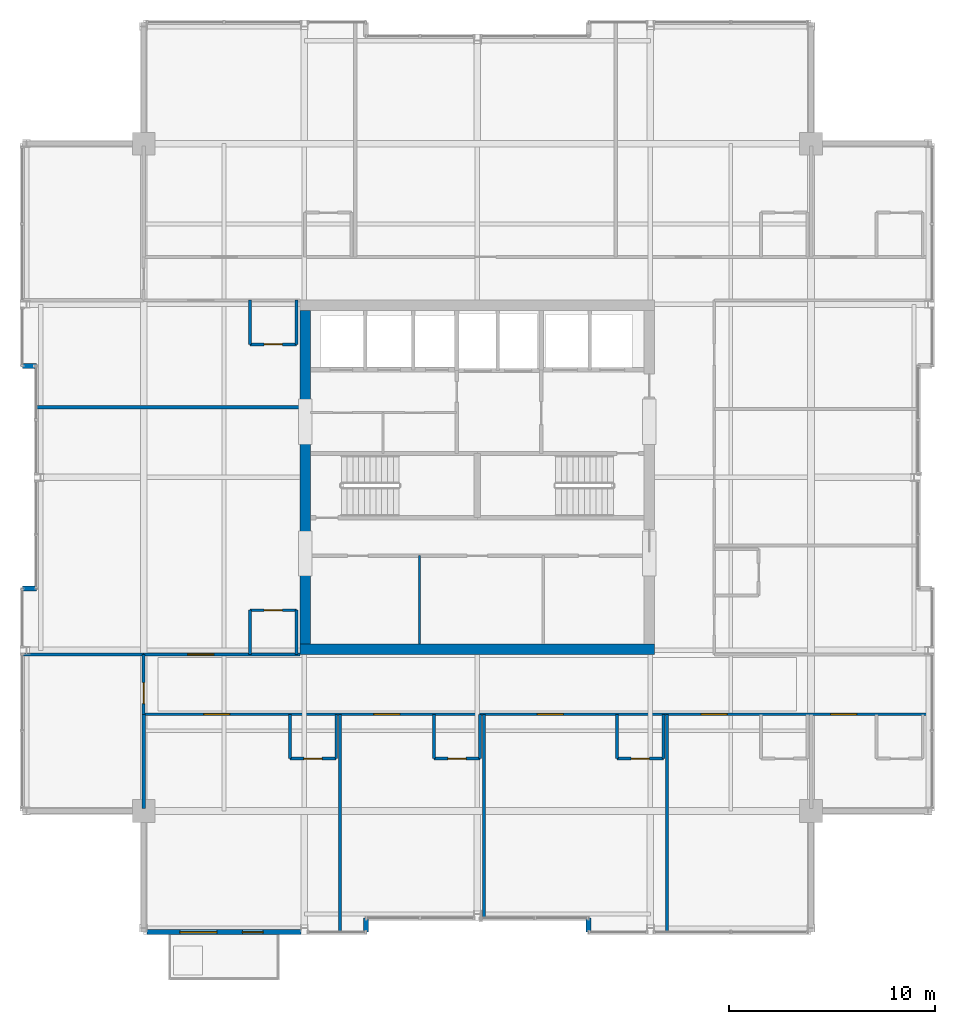
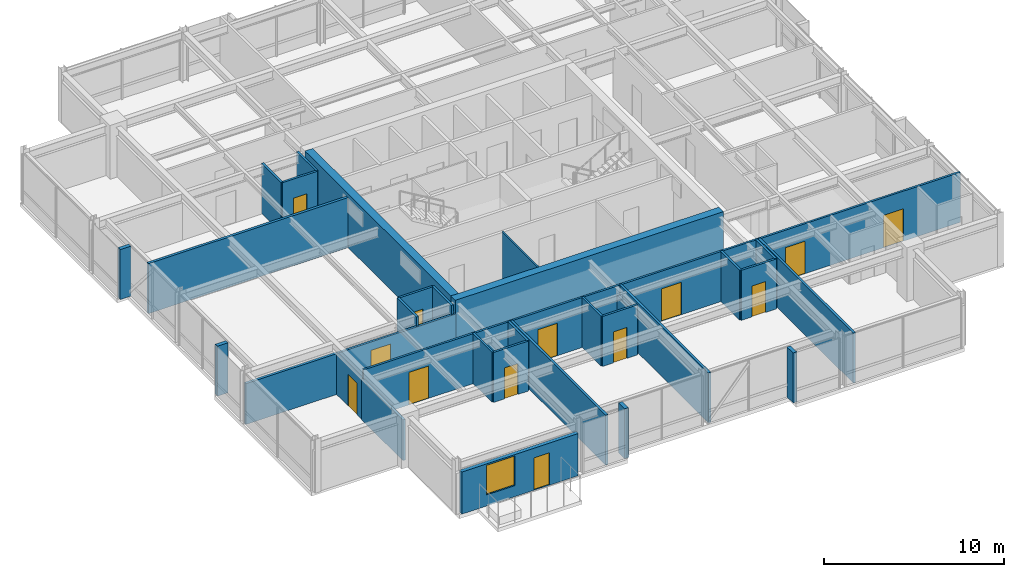
# One storey, part 28 of 34: 32 walls, 13 doors, 1 window, 14 openings.
"""IFC4 building model written with IfcOpenShell, lengths in metres."""

from ifc_helpers import new_model, si_unit, direction, frame, frame_2d, origin, place, context, subcontext, project, spatial, rectangle, extrude, material, layer, layer_set, type_object, element, fill, save


model = new_model("IFC4")

# Units and contexts
model_context = context("Model", 3, precision=1e-05, world=origin(), true_north=direction((0.0, 1.0)))
body_context = subcontext(model_context, "Body", "Model", "MODEL_VIEW")
ifc_project = project(units=[si_unit("LENGTHUNIT", "METRE"), si_unit("AREAUNIT", "SQUARE_METRE"), si_unit("VOLUMEUNIT", "CUBIC_METRE"), si_unit("PLANEANGLEUNIT", "RADIAN"), si_unit("MASSUNIT", "GRAM", prefix="KILO")], contexts=[model_context])

# Site, building, storey
site_placement = place(None, origin())
site = spatial("IfcSite", under=ifc_project, at=site_placement, CompositionType="ELEMENT")
building_placement = place(site_placement, origin())
building = spatial("IfcBuilding", under=site, at=building_placement, Name="Drelvath Grand Hotel", CompositionType="ELEMENT")
storey_placement = place(building_placement, frame((0.0, 0.0, 286.89990234375)))
storey = spatial("IfcBuildingStorey", under=building, at=storey_placement, Name="L75", CompositionType="ELEMENT", Elevation=286.89990234375)

# Wall
ifc_material_1 = material(Name="Gypsum Partition Board")
ifc_layer_1 = layer(ifc_material_1, 0.10009765625)
ifc_layer_set_1 = layer_set([ifc_layer_1], Name="Gypsum Partition Board")
wall_type_1 = type_object("IfcWallType", Name="Core Closet Partition 100", PredefinedType="PARTITIONING", material=ifc_layer_set_1)
wall_1_placement = place(storey_placement, frame((-2.800048828125, 18.89990234375, 0.0), z_axis=(0.0, 0.0, 1.0), x_axis=(0.0, 1.0, 0.0)))
element("IfcWall", 1, at=wall_1_placement, inside=storey, type_object=wall_type_1, Name="L75 Upper Core Split 1A", PredefinedType="PARTITIONING", context=body_context, shape_type="SweptSolid", body=[
    extrude(rectangle(XDim=4.300048828125, YDim=0.10009765625, at=frame_2d((2.14990234375, 0.0))), origin(), (0.0, 0.0, 1.0), 3.39013671875),
])

# Wall, openings, doors
ifc_material_2 = material(Name="Gypsum Fireboard Partition")
ifc_layer_2 = layer(ifc_material_2, 0.135009765625)
ifc_layer_set_2 = layer_set([ifc_layer_2], Name="Gypsum Fireboard Partition")
wall_type_2 = type_object("IfcWallType", Name="Corridor Fire Barrier Wall 135", PredefinedType="PARTITIONING", material=ifc_layer_set_2)
wall_2_placement = place(storey_placement, frame((-16.199951171875, 15.5, 0.0), z_axis=(0.0, 0.0, 1.0), x_axis=(1.0, 0.0, 0.0)))
wall_2 = element("IfcWall", 2, at=wall_2_placement, inside=storey, type_object=wall_type_2, Name="L75 South Cross-Gallery Wall", PredefinedType="PARTITIONING", context=body_context, shape_type="SweptSolid", body=[
    extrude(rectangle(XDim=38.280029296875, YDim=0.135009765625, at=frame_2d((19.14013671875, 0.0))), origin(), (0.0, 0.0, 1.0), 3.39013671875),
])
opening_1_placement = place(wall_2_placement, frame((33.35498046875, 0.0, 0.0)))
opening_1 = element("IfcOpeningElement", 3, at=opening_1_placement, cuts=wall_2, Name="Opening D-T5G3-022", PredefinedType="OPENING", context=body_context, shape_type="SweptSolid", body=[
    extrude(rectangle(XDim=1.260009765625, YDim=2.199951171875, at=frame_2d((0.6298828125, 1.10009765625))), frame((0.0, 0.077392578125, 0.0), z_axis=(0.0, -1.0, 0.0), x_axis=(1.0, 0.0, 0.0)), (0.0, 0.0, 1.0), 0.155029296875),
])
opening_2_placement = place(wall_2_placement, frame((2.919677734375, 0.0, 0.0)))
opening_2 = element("IfcOpeningElement", 4, at=opening_2_placement, cuts=wall_2, Name="Opening D-T5G3-026", PredefinedType="OPENING", context=body_context, shape_type="SweptSolid", body=[
    extrude(rectangle(XDim=1.260009765625, YDim=2.199951171875, at=frame_2d((0.6298828125, 1.10009765625))), frame((0.0, 0.077392578125, 0.0), z_axis=(0.0, -1.0, 0.0), x_axis=(1.0, 0.0, 0.0)), (0.0, 0.0, 1.0), 0.155029296875),
])
opening_3_placement = place(wall_2_placement, frame((11.178466796875, 0.0, 0.0)))
opening_3 = element("IfcOpeningElement", 5, at=opening_3_placement, cuts=wall_2, Name="Opening D-T5G3-028", PredefinedType="OPENING", context=body_context, shape_type="SweptSolid", body=[
    extrude(rectangle(XDim=1.260009765625, YDim=2.199951171875, at=frame_2d((0.6298828125, 1.10009765625))), frame((0.0, 0.077392578125, 0.0), z_axis=(0.0, -1.0, 0.0), x_axis=(1.0, 0.0, 0.0)), (0.0, 0.0, 1.0), 0.155029296875),
])
opening_4_placement = place(wall_2_placement, frame((19.11962890625, 0.0, 0.0)))
opening_4 = element("IfcOpeningElement", 6, at=opening_4_placement, cuts=wall_2, Name="Opening D-T5G3-030", PredefinedType="OPENING", context=body_context, shape_type="SweptSolid", body=[
    extrude(rectangle(XDim=1.260009765625, YDim=2.199951171875, at=frame_2d((0.6298828125, 1.10009765625))), frame((0.0, 0.077392578125, 0.0), z_axis=(0.0, -1.0, 0.0), x_axis=(1.0, 0.0, 0.0)), (0.0, 0.0, 1.0), 0.155029296875),
])
opening_5_placement = place(wall_2_placement, frame((27.060791015625, 0.0, 0.0)))
opening_5 = element("IfcOpeningElement", 7, at=opening_5_placement, cuts=wall_2, Name="Opening D-T5G3-032", PredefinedType="OPENING", context=body_context, shape_type="SweptSolid", body=[
    extrude(rectangle(XDim=1.260009765625, YDim=2.199951171875, at=frame_2d((0.6298828125, 1.10009765625))), frame((0.0, 0.077392578125, 0.0), z_axis=(0.0, -1.0, 0.0), x_axis=(1.0, 0.0, 0.0)), (0.0, 0.0, 1.0), 0.155029296875),
])
ifc_material_3 = material(Name="Hardwood Walnut Timber", Category="wood")
door_type_1 = type_object("IfcDoorType", Name="Suite Entrance Fire Door 1260x2200", OperationType="NOTDEFINED", PredefinedType="DOOR", material=ifc_material_3)
door_1_placement = place(opening_1_placement, origin())
door_1 = element("IfcDoor", 8, at=door_1_placement, inside=storey, type_object=door_type_1, Name="L75 Royal Suite Entry Door", OperationType="SINGLE_SWING_LEFT", OverallHeight=2.199951171875, OverallWidth=1.260009765625, PredefinedType="DOOR", context=body_context, shape_type="SweptSolid", body=[
    extrude(rectangle(XDim=1.260009765625, YDim=2.199951171875, at=frame_2d((0.6298828125, 1.10009765625))), frame((0.0, 0.02490234375, 0.0), z_axis=(0.0, -1.0, 0.0), x_axis=(1.0, 0.0, 0.0)), (0.0, 0.0, 1.0), 0.050048828125),
])
fill(opening_1, door_1)
door_2_placement = place(opening_2_placement, origin())
door_2 = element("IfcDoor", 9, at=door_2_placement, inside=storey, type_object=door_type_1, Name="L75 Royal Suite Entry Door", OperationType="SINGLE_SWING_LEFT", OverallHeight=2.199951171875, OverallWidth=1.260009765625, PredefinedType="DOOR", context=body_context, shape_type="SweptSolid", body=[
    extrude(rectangle(XDim=1.260009765625, YDim=2.199951171875, at=frame_2d((0.6298828125, 1.10009765625))), frame((0.0, 0.02490234375, 0.0), z_axis=(0.0, -1.0, 0.0), x_axis=(1.0, 0.0, 0.0)), (0.0, 0.0, 1.0), 0.050048828125),
])
fill(opening_2, door_2)
door_3_placement = place(opening_3_placement, origin())
door_3 = element("IfcDoor", 10, at=door_3_placement, inside=storey, type_object=door_type_1, Name="L75 Royal Suite Entry Door", OperationType="SINGLE_SWING_LEFT", OverallHeight=2.199951171875, OverallWidth=1.260009765625, PredefinedType="DOOR", context=body_context, shape_type="SweptSolid", body=[
    extrude(rectangle(XDim=1.260009765625, YDim=2.199951171875, at=frame_2d((0.6298828125, 1.10009765625))), frame((0.0, 0.02490234375, 0.0), z_axis=(0.0, -1.0, 0.0), x_axis=(1.0, 0.0, 0.0)), (0.0, 0.0, 1.0), 0.050048828125),
])
fill(opening_3, door_3)
door_4_placement = place(opening_4_placement, origin())
door_4 = element("IfcDoor", 11, at=door_4_placement, inside=storey, type_object=door_type_1, Name="L75 Royal Suite Entry Door", OperationType="SINGLE_SWING_LEFT", OverallHeight=2.199951171875, OverallWidth=1.260009765625, PredefinedType="DOOR", context=body_context, shape_type="SweptSolid", body=[
    extrude(rectangle(XDim=1.260009765625, YDim=2.199951171875, at=frame_2d((0.6298828125, 1.10009765625))), frame((0.0, 0.02490234375, 0.0), z_axis=(0.0, -1.0, 0.0), x_axis=(1.0, 0.0, 0.0)), (0.0, 0.0, 1.0), 0.050048828125),
])
fill(opening_4, door_4)
door_5_placement = place(opening_5_placement, origin())
door_5 = element("IfcDoor", 12, at=door_5_placement, inside=storey, type_object=door_type_1, Name="L75 Royal Suite Entry Door", OperationType="SINGLE_SWING_LEFT", OverallHeight=2.199951171875, OverallWidth=1.260009765625, PredefinedType="DOOR", context=body_context, shape_type="SweptSolid", body=[
    extrude(rectangle(XDim=1.260009765625, YDim=2.199951171875, at=frame_2d((0.6298828125, 1.10009765625))), frame((0.0, 0.02490234375, 0.0), z_axis=(0.0, -1.0, 0.0), x_axis=(1.0, 0.0, 0.0)), (0.0, 0.0, 1.0), 0.050048828125),
])
fill(opening_5, door_5)

# Wall, opening, door
wall_3_placement = place(storey_placement, frame((-16.199951171875, 18.39990234375, 0.0), z_axis=(0.0, 0.0, 1.0), x_axis=(1.0, 0.0, 0.0)))
wall_3 = element("IfcWall", 13, at=wall_3_placement, inside=storey, type_object=wall_type_2, Name="L75 South Gallery Inner West Wall", PredefinedType="PARTITIONING", context=body_context, shape_type="SweptSolid", body=[
    extrude(rectangle(XDim=7.599853515625, YDim=0.135009765625, at=frame_2d((3.7998046875, 0.0))), origin(), (0.0, 0.0, 1.0), 2.767578125),
])
opening_6_placement = place(wall_3_placement, frame((2.155029296875, 0.0, 0.0)))
opening_6 = element("IfcOpeningElement", 14, at=opening_6_placement, cuts=wall_3, Name="Opening D-T5G3-043", PredefinedType="OPENING", context=body_context, shape_type="SweptSolid", body=[
    extrude(rectangle(XDim=1.260009765625, YDim=2.199951171875, at=frame_2d((0.6298828125, 1.10009765625))), frame((0.0, 0.077392578125, 0.0), z_axis=(0.0, -1.0, 0.0), x_axis=(1.0, 0.0, 0.0)), (0.0, 0.0, 1.0), 0.155029296875),
])
door_6_placement = place(opening_6_placement, origin())
door_6 = element("IfcDoor", 15, at=door_6_placement, inside=storey, type_object=door_type_1, Name="L75 Royal Suite Entry Door", OperationType="SINGLE_SWING_RIGHT", OverallHeight=2.199951171875, OverallWidth=1.260009765625, PredefinedType="DOOR", context=body_context, shape_type="SweptSolid", body=[
    extrude(rectangle(XDim=1.260009765625, YDim=2.199951171875, at=frame_2d((0.6298828125, 1.10009765625))), frame((0.0, 0.02490234375, 0.0), z_axis=(0.0, -1.0, 0.0), x_axis=(1.0, 0.0, 0.0)), (0.0, 0.0, 1.0), 0.050048828125),
])
fill(opening_6, door_6)

wall_4_placement = place(storey_placement, frame((-16.199951171875, 15.5, 0.0), z_axis=(0.0, 0.0, 1.0), x_axis=(0.0, 1.0, 0.0)))
wall_4 = element("IfcWall", 16, at=wall_4_placement, inside=storey, type_object=wall_type_2, Name="L75 South Gallery West End", PredefinedType="PARTITIONING", context=body_context, shape_type="SweptSolid", body=[
    extrude(rectangle(XDim=2.89990234375, YDim=0.135009765625, at=frame_2d((1.449951171875, 0.0))), origin(), (0.0, 0.0, 1.0), 2.76416015625),
])
opening_7_placement = place(wall_4_placement, frame((0.52001953125, 0.0, 0.0)))
opening_7 = element("IfcOpeningElement", 17, at=opening_7_placement, cuts=wall_4, Name="Opening D-T5G3-019", PredefinedType="OPENING", context=body_context, shape_type="SweptSolid", body=[
    extrude(rectangle(XDim=1.02001953125, YDim=2.14990234375, at=frame_2d((0.510009765625, 1.074951171875))), frame((0.0, 0.077392578125, 0.0), z_axis=(0.0, -1.0, 0.0), x_axis=(1.0, 0.0, 0.0)), (0.0, 0.0, 1.0), 0.155029296875),
])
door_type_2 = type_object("IfcDoorType", Name="Amenity Meeting Fire Door 1020x2150", OperationType="NOTDEFINED", PredefinedType="DOOR", material=ifc_material_3)
door_7_placement = place(opening_7_placement, origin())
door_7 = element("IfcDoor", 18, at=door_7_placement, inside=storey, type_object=door_type_2, Name="L75 Corner Panorama Lounge Door", OperationType="SINGLE_SWING_RIGHT", OverallHeight=2.14990234375, OverallWidth=1.02001953125, PredefinedType="DOOR", context=body_context, shape_type="SweptSolid", body=[
    extrude(rectangle(XDim=1.02001953125, YDim=2.14990234375, at=frame_2d((0.510009765625, 1.074951171875))), frame((0.0, 0.02490234375, 0.0), z_axis=(0.0, -1.0, 0.0), x_axis=(1.0, 0.0, 0.0)), (0.0, 0.0, 1.0), 0.050048828125),
])
fill(opening_7, door_7)

# Walls
ifc_material_4 = material(Name="Moisture-Resistant Gypsum Board")
ifc_layer_3 = layer(ifc_material_4, 0.139892578125)
ifc_layer_set_3 = layer_set([ifc_layer_3], Name="Moisture-Resistant Gypsum Board")
wall_type_3 = type_object("IfcWallType", Name="En-Suite Plumbing Wall 140", PredefinedType="PLUMBINGWALL", material=ifc_layer_set_3)
for number, where, z_axis, x_axis, name in (
    (19, (-9.1005859375, 15.5, 0.0), (0.0, 0.0, 1.0), (0.0, -1.0, 0.0), "L75 En-Suite Left Wall"),
    (20, (-6.8505859375, 15.5, 0.0), (0.0, 0.0, 1.0), (0.0, -1.0, 0.0), "L75 En-Suite Right Wall"),
):
    element("IfcWall", number, at=place(storey_placement, frame(where, z_axis=z_axis, x_axis=x_axis)), inside=storey, type_object=wall_type_3, Name=name, PredefinedType="PLUMBINGWALL", context=body_context, shape_type="SweptSolid", body=[
        extrude(rectangle(XDim=2.14990234375, YDim=0.139892578125, at=frame_2d((1.074951171875, 0.0))), origin(), (0.0, 0.0, 1.0), 3.39013671875),
    ])

# Wall, opening, door
wall_5_placement = place(storey_placement, frame((-9.1005859375, 13.35009765625, 0.0), z_axis=(0.0, 0.0, 1.0), x_axis=(1.0, 0.0, 0.0)))
wall_5 = element("IfcWall", 21, at=wall_5_placement, inside=storey, type_object=wall_type_3, Name="L75 En-Suite Front Wall", PredefinedType="PLUMBINGWALL", context=body_context, shape_type="SweptSolid", body=[
    extrude(rectangle(XDim=2.25, YDim=0.139892578125, at=frame_2d((1.125, 0.0))), origin(), (0.0, 0.0, 1.0), 3.39013671875),
])
opening_8_placement = place(wall_5_placement, frame((0.68505859375, 0.0, 0.0)))
opening_8 = element("IfcOpeningElement", 22, at=opening_8_placement, cuts=wall_5, Name="Opening D-T5G3-025", PredefinedType="OPENING", context=body_context, shape_type="SweptSolid", body=[
    extrude(rectangle(XDim=0.8798828125, YDim=2.10009765625, at=frame_2d((0.43994140625, 1.050048828125))), frame((0.0, 0.079833984375, 0.0), z_axis=(0.0, -1.0, 0.0), x_axis=(1.0, 0.0, 0.0)), (0.0, 0.0, 1.0), 0.159912109375),
])
door_type_3 = type_object("IfcDoorType", Name="En-Suite Bathroom Door 880x2100", OperationType="NOTDEFINED", PredefinedType="DOOR", material=ifc_material_3)
door_8_placement = place(opening_8_placement, origin())
door_8 = element("IfcDoor", 23, at=door_8_placement, inside=storey, type_object=door_type_3, Name="L75 En-Suite Bathroom Door", OperationType="SINGLE_SWING_RIGHT", OverallHeight=2.10009765625, OverallWidth=0.8798828125, PredefinedType="DOOR", context=body_context, shape_type="SweptSolid", body=[
    extrude(rectangle(XDim=0.8798828125, YDim=2.10009765625, at=frame_2d((0.43994140625, 1.050048828125))), frame((0.0, 0.02490234375, 0.0), z_axis=(0.0, -1.0, 0.0), x_axis=(1.0, 0.0, 0.0)), (0.0, 0.0, 1.0), 0.050048828125),
])
fill(opening_8, door_8)

# Walls
wall_6_placement = place(storey_placement, frame((-2.1123046875, 15.5, 0.0), z_axis=(0.0, 0.0, 1.0), x_axis=(0.0, -1.0, 0.0)))
element("IfcWall", 24, at=wall_6_placement, inside=storey, type_object=wall_type_3, Name="L75 En-Suite Left Wall", PredefinedType="PLUMBINGWALL", context=body_context, shape_type="SweptSolid", body=[
    extrude(rectangle(XDim=2.14990234375, YDim=0.139892578125, at=frame_2d((1.074951171875, 0.0))), origin(), (0.0, 0.0, 1.0), 3.39013671875),
])
wall_7_placement = place(storey_placement, frame((0.1376953125, 15.5, 0.0), z_axis=(0.0, 0.0, 1.0), x_axis=(0.0, -1.0, 0.0)))
element("IfcWall", 25, at=wall_7_placement, inside=storey, type_object=wall_type_3, Name="L75 En-Suite Right Wall", PredefinedType="PLUMBINGWALL", context=body_context, shape_type="SweptSolid", body=[
    extrude(rectangle(XDim=2.14990234375, YDim=0.139892578125, at=frame_2d((1.074951171875, 0.0))), origin(), (0.0, 0.0, 1.0), 2.767578125),
])

# Wall, opening, door
wall_8_placement = place(storey_placement, frame((-2.1123046875, 13.35009765625, 0.0), z_axis=(0.0, 0.0, 1.0), x_axis=(1.0, 0.0, 0.0)))
wall_8 = element("IfcWall", 26, at=wall_8_placement, inside=storey, type_object=wall_type_3, Name="L75 En-Suite Front Wall", PredefinedType="PLUMBINGWALL", context=body_context, shape_type="SweptSolid", body=[
    extrude(rectangle(XDim=2.25, YDim=0.139892578125, at=frame_2d((1.125, 0.0))), origin(), (0.0, 0.0, 1.0), 3.39013671875),
])
opening_9_placement = place(wall_8_placement, frame((0.68505859375, 0.0, 0.0)))
opening_9 = element("IfcOpeningElement", 27, at=opening_9_placement, cuts=wall_8, Name="Opening D-T5G3-027", PredefinedType="OPENING", context=body_context, shape_type="SweptSolid", body=[
    extrude(rectangle(XDim=0.8798828125, YDim=2.10009765625, at=frame_2d((0.43994140625, 1.050048828125))), frame((0.0, 0.079833984375, 0.0), z_axis=(0.0, -1.0, 0.0), x_axis=(1.0, 0.0, 0.0)), (0.0, 0.0, 1.0), 0.159912109375),
])
door_9_placement = place(opening_9_placement, origin())
door_9 = element("IfcDoor", 28, at=door_9_placement, inside=storey, type_object=door_type_3, Name="L75 En-Suite Bathroom Door", OperationType="SINGLE_SWING_RIGHT", OverallHeight=2.10009765625, OverallWidth=0.8798828125, PredefinedType="DOOR", context=body_context, shape_type="SweptSolid", body=[
    extrude(rectangle(XDim=0.8798828125, YDim=2.10009765625, at=frame_2d((0.43994140625, 1.050048828125))), frame((0.0, 0.02490234375, 0.0), z_axis=(0.0, -1.0, 0.0), x_axis=(1.0, 0.0, 0.0)), (0.0, 0.0, 1.0), 0.050048828125),
])
fill(opening_9, door_9)

# Walls
for number, where, z_axis, x_axis, name in (
    (29, (6.78173828125, 15.5, 0.0), (0.0, 0.0, 1.0), (0.0, -1.0, 0.0), "L75 En-Suite Left Wall"),
    (30, (9.03173828125, 15.5, 0.0), (0.0, 0.0, 1.0), (0.0, -1.0, 0.0), "L75 En-Suite Right Wall"),
):
    element("IfcWall", number, at=place(storey_placement, frame(where, z_axis=z_axis, x_axis=x_axis)), inside=storey, type_object=wall_type_3, Name=name, PredefinedType="PLUMBINGWALL", context=body_context, shape_type="SweptSolid", body=[
        extrude(rectangle(XDim=2.14990234375, YDim=0.139892578125, at=frame_2d((1.074951171875, 0.0))), origin(), (0.0, 0.0, 1.0), 3.39013671875),
    ])

# Wall, opening, door
wall_9_placement = place(storey_placement, frame((6.78173828125, 13.35009765625, 0.0), z_axis=(0.0, 0.0, 1.0), x_axis=(1.0, 0.0, 0.0)))
wall_9 = element("IfcWall", 31, at=wall_9_placement, inside=storey, type_object=wall_type_3, Name="L75 En-Suite Front Wall", PredefinedType="PLUMBINGWALL", context=body_context, shape_type="SweptSolid", body=[
    extrude(rectangle(XDim=2.25, YDim=0.139892578125, at=frame_2d((1.125, 0.0))), origin(), (0.0, 0.0, 1.0), 3.39013671875),
])
opening_10_placement = place(wall_9_placement, frame((0.68505859375, 0.0, 0.0)))
opening_10 = element("IfcOpeningElement", 32, at=opening_10_placement, cuts=wall_9, Name="Opening D-T5G3-029", PredefinedType="OPENING", context=body_context, shape_type="SweptSolid", body=[
    extrude(rectangle(XDim=0.8798828125, YDim=2.10009765625, at=frame_2d((0.43994140625, 1.050048828125))), frame((0.0, 0.079833984375, 0.0), z_axis=(0.0, -1.0, 0.0), x_axis=(1.0, 0.0, 0.0)), (0.0, 0.0, 1.0), 0.159912109375),
])
door_10_placement = place(opening_10_placement, origin())
door_10 = element("IfcDoor", 33, at=door_10_placement, inside=storey, type_object=door_type_3, Name="L75 En-Suite Bathroom Door", OperationType="SINGLE_SWING_RIGHT", OverallHeight=2.10009765625, OverallWidth=0.8798828125, PredefinedType="DOOR", context=body_context, shape_type="SweptSolid", body=[
    extrude(rectangle(XDim=0.8798828125, YDim=2.10009765625, at=frame_2d((0.43994140625, 1.050048828125))), frame((0.0, 0.02490234375, 0.0), z_axis=(0.0, -1.0, 0.0), x_axis=(1.0, 0.0, 0.0)), (0.0, 0.0, 1.0), 0.050048828125),
])
fill(opening_10, door_10)

# Walls
for number, where, z_axis, x_axis, name in (
    (34, (-11.030029296875, 18.39990234375, 0.0), (0.0, 0.0, 1.0), (0.0, 1.0, 0.0), "L75 En-Suite Left Wall"),
    (35, (-8.780029296875, 18.39990234375, 0.0), (0.0, 0.0, 1.0), (0.0, 1.0, 0.0), "L75 En-Suite Right Wall"),
):
    element("IfcWall", number, at=place(storey_placement, frame(where, z_axis=z_axis, x_axis=x_axis)), inside=storey, type_object=wall_type_3, Name=name, PredefinedType="PLUMBINGWALL", context=body_context, shape_type="SweptSolid", body=[
        extrude(rectangle(XDim=2.150146484375, YDim=0.139892578125, at=frame_2d((1.0751953125, 0.0))), origin(), (0.0, 0.0, 1.0), 3.39013671875),
    ])

# Wall, opening, door
wall_10_placement = place(storey_placement, frame((-11.030029296875, 20.550048828125, 0.0), z_axis=(0.0, 0.0, 1.0), x_axis=(1.0, 0.0, 0.0)))
wall_10 = element("IfcWall", 36, at=wall_10_placement, inside=storey, type_object=wall_type_3, Name="L75 En-Suite Front Wall", PredefinedType="PLUMBINGWALL", context=body_context, shape_type="SweptSolid", body=[
    extrude(rectangle(XDim=2.25, YDim=0.139892578125, at=frame_2d((1.125, 0.0))), origin(), (0.0, 0.0, 1.0), 3.39013671875),
])
opening_11_placement = place(wall_10_placement, frame((0.68505859375, 0.0, 0.0)))
opening_11 = element("IfcOpeningElement", 37, at=opening_11_placement, cuts=wall_10, Name="Opening D-T5G3-042", PredefinedType="OPENING", context=body_context, shape_type="SweptSolid", body=[
    extrude(rectangle(XDim=0.8798828125, YDim=2.10009765625, at=frame_2d((0.43994140625, 1.050048828125))), frame((0.0, 0.079833984375, 0.0), z_axis=(0.0, -1.0, 0.0), x_axis=(1.0, 0.0, 0.0)), (0.0, 0.0, 1.0), 0.159912109375),
])
door_11_placement = place(opening_11_placement, origin())
door_11 = element("IfcDoor", 38, at=door_11_placement, inside=storey, type_object=door_type_3, Name="L75 En-Suite Bathroom Door", OperationType="SINGLE_SWING_LEFT", OverallHeight=2.10009765625, OverallWidth=0.8798828125, PredefinedType="DOOR", context=body_context, shape_type="SweptSolid", body=[
    extrude(rectangle(XDim=0.8798828125, YDim=2.10009765625, at=frame_2d((0.43994140625, 1.050048828125))), frame((0.0, 0.02490234375, 0.0), z_axis=(0.0, -1.0, 0.0), x_axis=(1.0, 0.0, 0.0)), (0.0, 0.0, 1.0), 0.050048828125),
])
fill(opening_11, door_11)

# Walls
for number, where, z_axis, x_axis, name in (
    (39, (-11.030029296875, 35.60009765625, 0.0), (0.0, 0.0, 1.0), (0.0, -1.0, 0.0), "L75 En-Suite Left Wall"),
    (40, (-8.780029296875, 35.60009765625, 0.0), (0.0, 0.0, 1.0), (0.0, -1.0, 0.0), "L75 En-Suite Right Wall"),
):
    element("IfcWall", number, at=place(storey_placement, frame(where, z_axis=z_axis, x_axis=x_axis)), inside=storey, type_object=wall_type_3, Name=name, PredefinedType="PLUMBINGWALL", context=body_context, shape_type="SweptSolid", body=[
        extrude(rectangle(XDim=2.150146484375, YDim=0.139892578125, at=frame_2d((1.0751953125, 0.0))), origin(), (0.0, 0.0, 1.0), 3.39013671875),
    ])

# Wall, opening, door
wall_11_placement = place(storey_placement, frame((-11.030029296875, 33.449951171875, 0.0), z_axis=(0.0, 0.0, 1.0), x_axis=(1.0, 0.0, 0.0)))
wall_11 = element("IfcWall", 41, at=wall_11_placement, inside=storey, type_object=wall_type_3, Name="L75 En-Suite Front Wall", PredefinedType="PLUMBINGWALL", context=body_context, shape_type="SweptSolid", body=[
    extrude(rectangle(XDim=2.25, YDim=0.139892578125, at=frame_2d((1.125, 0.0))), origin(), (0.0, 0.0, 1.0), 3.39013671875),
])
opening_12_placement = place(wall_11_placement, frame((0.68505859375, 0.0, 0.0)))
opening_12 = element("IfcOpeningElement", 42, at=opening_12_placement, cuts=wall_11, Name="Opening D-T5G3-044", PredefinedType="OPENING", context=body_context, shape_type="SweptSolid", body=[
    extrude(rectangle(XDim=0.8798828125, YDim=2.10009765625, at=frame_2d((0.43994140625, 1.050048828125))), frame((0.0, 0.079833984375, 0.0), z_axis=(0.0, -1.0, 0.0), x_axis=(1.0, 0.0, 0.0)), (0.0, 0.0, 1.0), 0.159912109375),
])
door_12_placement = place(opening_12_placement, origin())
door_12 = element("IfcDoor", 43, at=door_12_placement, inside=storey, type_object=door_type_3, Name="L75 En-Suite Bathroom Door", OperationType="SINGLE_SWING_LEFT", OverallHeight=2.10009765625, OverallWidth=0.8798828125, PredefinedType="DOOR", context=body_context, shape_type="SweptSolid", body=[
    extrude(rectangle(XDim=0.8798828125, YDim=2.10009765625, at=frame_2d((0.43994140625, 1.050048828125))), frame((0.0, 0.02490234375, 0.0), z_axis=(0.0, -1.0, 0.0), x_axis=(1.0, 0.0, 0.0)), (0.0, 0.0, 1.0), 0.050048828125),
])
fill(opening_12, door_12)

# Walls
ifc_material_5 = material(Name="Gypsum Acoustic Partition")
ifc_layer_4 = layer(ifc_material_5, 0.14990234375)
ifc_layer_set_4 = layer_set([ifc_layer_4], Name="Gypsum Acoustic Partition")
wall_type_4 = type_object("IfcWallType", Name="Guestroom Demising Wall 150", PredefinedType="PARTITIONING", material=ifc_layer_set_4)
wall_12_placement = place(storey_placement, frame((-6.670654296875, 4.919921875, 0.0), z_axis=(0.0, 0.0, 1.0), x_axis=(0.0, 1.0, 0.0)))
element("IfcWall", 44, at=wall_12_placement, inside=storey, type_object=wall_type_4, Name="L75 South Demising 1", PredefinedType="PARTITIONING", context=body_context, shape_type="SweptSolid", body=[
    extrude(rectangle(XDim=10.580078125, YDim=0.14990234375, at=frame_2d((5.2900390625, 0.0))), origin(), (0.0, 0.0, 1.0), 3.39013671875),
])
wall_13_placement = place(storey_placement, frame((0.317626953125, 5.60009765625, 0.0), z_axis=(0.0, 0.0, 1.0), x_axis=(0.0, 1.0, 0.0)))
element("IfcWall", 45, at=wall_13_placement, inside=storey, type_object=wall_type_4, Name="L75 South Demising 2", PredefinedType="PARTITIONING", context=body_context, shape_type="SweptSolid", body=[
    extrude(rectangle(XDim=9.89990234375, YDim=0.14990234375, at=frame_2d((4.949951171875, 0.0))), origin(), (0.0, 0.0, 1.0), 3.39013671875),
])
wall_14_placement = place(storey_placement, frame((9.2119140625, 4.919921875, 0.0), z_axis=(0.0, 0.0, 1.0), x_axis=(0.0, 1.0, 0.0)))
element("IfcWall", 46, at=wall_14_placement, inside=storey, type_object=wall_type_4, Name="L75 South Demising 3", PredefinedType="PARTITIONING", context=body_context, shape_type="SweptSolid", body=[
    extrude(rectangle(XDim=10.580078125, YDim=0.14990234375, at=frame_2d((5.2900390625, 0.0))), origin(), (0.0, 0.0, 1.0), 3.39013671875),
])
ifc_layer_5 = layer(ifc_material_5, 0.1650390625)
ifc_layer_set_5 = layer_set([ifc_layer_5], Name="Gypsum Acoustic Partition")
wall_type_5 = type_object("IfcWallType", Name="Suite Demising Wall 165", PredefinedType="PARTITIONING", material=ifc_layer_set_5)
wall_15_placement = place(storey_placement, frame((-16.199951171875, 10.919921875, 0.0), z_axis=(0.0, 0.0, 1.0), x_axis=(0.0, 1.0, 0.0)))
element("IfcWall", 47, at=wall_15_placement, inside=storey, type_object=wall_type_5, Name="L75 SW Suite Wall", PredefinedType="PARTITIONING", context=body_context, shape_type="SweptSolid", body=[
    extrude(rectangle(XDim=4.580078125, YDim=0.1650390625, at=frame_2d((2.2900390625, 0.0))), origin(), (0.0, 0.0, 1.0), 2.76416015625),
])
wall_16_placement = place(storey_placement, frame((-22.080078125, 18.39990234375, 0.0), z_axis=(0.0, 0.0, 1.0), x_axis=(1.0, 0.0, 0.0)))
element("IfcWall", 48, at=wall_16_placement, inside=storey, type_object=wall_type_5, Name="L75 SW Corner North Wall", PredefinedType="PARTITIONING", context=body_context, shape_type="SweptSolid", body=[
    extrude(rectangle(XDim=5.880126953125, YDim=0.1650390625, at=frame_2d((2.93994140625, 0.0))), origin(), (0.0, 0.0, 1.0), 2.76416015625),
])
wall_17_placement = place(storey_placement, frame((-21.39990234375, 30.39990234375, 0.0), z_axis=(0.0, 0.0, 1.0), x_axis=(1.0, 0.0, 0.0)))
element("IfcWall", 49, at=wall_17_placement, inside=storey, type_object=wall_type_5, Name="L75 West Grand Suite Split Wall", PredefinedType="PARTITIONING", context=body_context, shape_type="SweptSolid", body=[
    extrude(rectangle(XDim=12.7998046875, YDim=0.1650390625, at=frame_2d((6.39990234375, 0.0))), origin(), (0.0, 0.0, 1.0), 3.39013671875),
])

# Wall, openings, window, door
ifc_material_6 = material(Name="Pale-Metal Insulated Aluminium Spandrel Assembly", Category="aluminium")
ifc_layer_6 = layer(ifc_material_6, 0.239990234375)
ifc_layer_set_6 = layer_set([ifc_layer_6], Name="Pale-Metal Insulated Aluminium Spandrel Assembly")
wall_type_6 = type_object("IfcWallType", Name="Tower Insulated Metal Spandrel Closure Wall 240", PredefinedType="STANDARD", material=ifc_layer_set_6)
wall_18_placement = place(storey_placement, frame((-8.570068359375, 4.919921875, 0.0), z_axis=(0.0, 0.0, 1.0), x_axis=(-1.0, 0.0, 0.0)))
wall_18 = element("IfcWall", 50, at=wall_18_placement, inside=storey, type_object=wall_type_6, Name="L75 Exterior Terrace Door Bay Wall SW1", PredefinedType="STANDARD", context=body_context, shape_type="SweptSolid", body=[
    extrude(rectangle(XDim=7.459716796875, YDim=0.239990234375, at=frame_2d((3.72998046875, 0.0))), origin(), (0.0, 0.0, 1.0), 2.853515625),
])
opening_13_placement = place(wall_18_placement, frame((1.829833984375, 0.0, 0.0)))
opening_13 = element("IfcOpeningElement", 51, at=opening_13_placement, cuts=wall_18, Name="Opening TD-1000", PredefinedType="OPENING", context=body_context, shape_type="SweptSolid", body=[
    extrude(rectangle(XDim=1.0, YDim=2.199951171875, at=frame_2d((0.5, 1.10009765625))), frame((0.0, 0.1298828125, 0.0), z_axis=(0.0, -1.0, 0.0), x_axis=(1.0, 0.0, 0.0)), (0.0, 0.0, 1.0), 0.260009765625),
])
opening_14_placement = place(wall_18_placement, frame((4.068359375, 0.0, 0.75)))
opening_14 = element("IfcOpeningElement", 52, at=opening_14_placement, cuts=wall_18, Name="Opening W-02", PredefinedType="OPENING", context=body_context, shape_type="SweptSolid", body=[
    extrude(rectangle(XDim=1.800048828125, YDim=2.00341796875, at=frame_2d((0.89990234375, 1.001708984375))), frame((0.0, 0.1298828125, 0.0), z_axis=(0.0, -1.0, 0.0), x_axis=(1.0, 0.0, 0.0)), (0.0, 0.0, 1.0), 0.260009765625),
])
ifc_material_7 = material(Name="Bronze Anodised Low-E Triple Glazing", Category="glass")
window_type = type_object("IfcWindowType", Name="Chicago Double-Pane Podium Window 1800x2400", PartitioningType="DOUBLE_PANEL_VERTICAL", PredefinedType="WINDOW", material=ifc_material_7)
window_placement = place(opening_14_placement, origin())
window = element("IfcWindow", 53, at=window_placement, inside=storey, type_object=window_type, Name="L75 Terrace Bay Companion Window SW1", OverallHeight=2.00341796875, OverallWidth=1.800048828125, PartitioningType="SINGLE_PANEL", PredefinedType="WINDOW", context=body_context, shape_type="SweptSolid", body=[
    extrude(rectangle(XDim=1.800048828125, YDim=2.00341796875, at=frame_2d((0.89990234375, 1.001708984375))), frame((0.0, 0.030029296875, 0.0), z_axis=(0.0, -1.0, 0.0), x_axis=(1.0, 0.0, 0.0)), (0.0, 0.0, 1.0), 0.06005859375),
])
fill(opening_14, window)
ifc_material_8 = material(Name="Anodised Aluminium Thermally Broken Glazed Door", Category="aluminium")
door_type_4 = type_object("IfcDoorType", Name="Terrace and Tree Balcony Glazed Door 1000x2200", OperationType="NOTDEFINED", PredefinedType="DOOR", material=ifc_material_8)
door_13_placement = place(opening_13_placement, origin())
door_13 = element("IfcDoor", 54, at=door_13_placement, inside=storey, type_object=door_type_4, Name="L75 Tree Balcony Door DOOR-L75-TBAL-1", OperationType="SINGLE_SWING_LEFT", OverallHeight=2.199951171875, OverallWidth=1.0, PredefinedType="DOOR", context=body_context, shape_type="SweptSolid", body=[
    extrude(rectangle(XDim=1.0, YDim=2.199951171875, at=frame_2d((0.5, 1.10009765625))), frame((0.0, 0.02490234375, 0.0), z_axis=(0.0, -1.0, 0.0), x_axis=(1.0, 0.0, 0.0)), (0.0, 0.0, 1.0), 0.050048828125),
])
fill(opening_13, door_13)

# Walls
for number, where, z_axis, x_axis, name in (
    (55, (-22.080078125, 21.60009765625, 0.0), (0.0, 0.0, 1.0), (1.0, 0.0, 0.0), "L75 Notched Corner Return Spandrel Wall RW1"),
    (56, (-21.39990234375, 32.39990234375, 0.0), (0.0, 0.0, 1.0), (-1.0, 0.0, 0.0), "L75 Notched Corner Return Spandrel Wall RW2"),
    (57, (5.39990234375, 4.919921875, 0.0), (0.0, 0.0, 1.0), (0.0, 1.0, 0.0), "L75 Notched Corner Return Spandrel Wall RS1"),
    (58, (-5.39990234375, 5.60009765625, 0.0), (0.0, 0.0, 1.0), (0.0, -1.0, 0.0), "L75 Notched Corner Return Spandrel Wall RS2"),
):
    element("IfcWall", number, at=place(storey_placement, frame(where, z_axis=z_axis, x_axis=x_axis)), inside=storey, type_object=wall_type_6, Name=name, PredefinedType="STANDARD", context=body_context, shape_type="SweptSolid", body=[
        extrude(rectangle(XDim=0.68017578125, YDim=0.239990234375, at=frame_2d((0.340087890625, 0.0))), origin(), (0.0, 0.0, 1.0), 3.39013671875),
    ])
ifc_material_9 = material(Name="Concrete f'c 55 MPa", Category="concrete")
ifc_layer_7 = layer(ifc_material_9, 0.5)
ifc_layer_set_7 = layer_set([ifc_layer_7], Name="Concrete f'c 55 MPa")
wall_type_7 = type_object("IfcWallType", Name="Upper Core RC Shear Wall 500", PredefinedType="SHEAR", material=ifc_layer_set_7)
wall_19_placement = place(storey_placement, frame((8.60009765625, 18.64990234375, 0.0), z_axis=(0.0, 0.0, 1.0), x_axis=(-1.0, 0.0, 0.0)))
element("IfcWall", 59, at=wall_19_placement, inside=storey, type_object=wall_type_7, Name="L75 Central Core Shear Wall S", PredefinedType="SHEAR", context=body_context, shape_type="SweptSolid", body=[
    extrude(rectangle(XDim=17.2001953125, YDim=0.5, at=frame_2d((8.60009765625, 0.0))), origin(), (0.0, 0.0, 1.0), 3.650146484375),
])
wall_20_placement = place(storey_placement, frame((-8.35009765625, 18.89990234375, 0.0), z_axis=(0.0, 0.0, 1.0), x_axis=(0.0, 1.0, 0.0)))
element("IfcWall", 60, at=wall_20_placement, inside=storey, type_object=wall_type_7, Name="L75 Central Core Shear Wall W", PredefinedType="SHEAR", context=body_context, shape_type="SweptSolid", body=[
    extrude(rectangle(XDim=16.2001953125, YDim=0.5, at=frame_2d((8.10009765625, 0.0))), origin(), (0.0, 0.0, 1.0), 3.650146484375),
])

save(model, "model.ifc")
